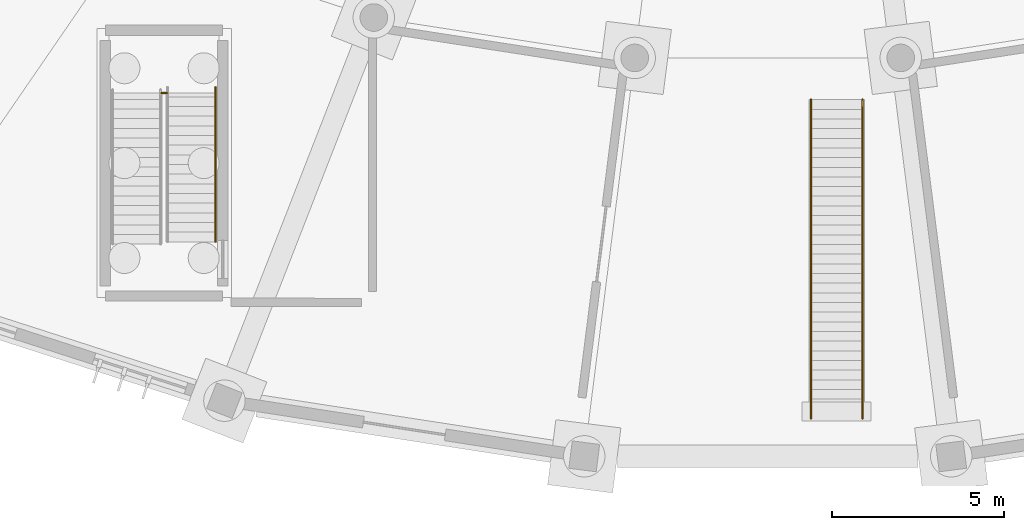
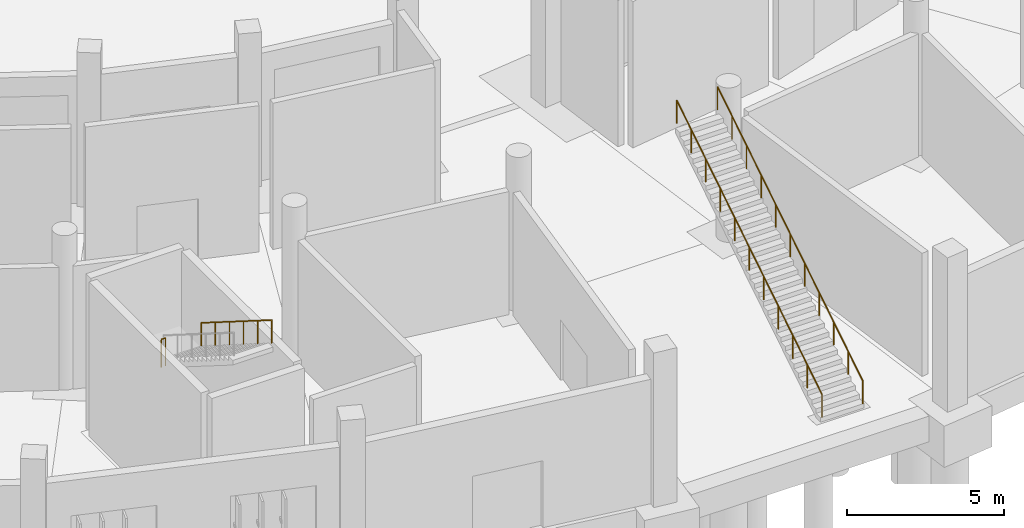
# One storey, part 113 of 140: 4 railings.
"""IFC4 building model written with IfcOpenShell, lengths in metres."""

from ifc_helpers import new_model, si_unit, direction, frame, origin, origin_2d, place, context, subcontext, project, spatial, circle, extrude, material, layer, layer_set, type_object, element, save


model = new_model("IFC4")

# Units and contexts
model_context = context("Model", 3, precision=1e-05, world=origin(), true_north=direction((0.0, 1.0)))
body_context = subcontext(model_context, "Body", "Model", "MODEL_VIEW")
ifc_project = project(units=[si_unit("LENGTHUNIT", "METRE"), si_unit("AREAUNIT", "SQUARE_METRE"), si_unit("VOLUMEUNIT", "CUBIC_METRE"), si_unit("PLANEANGLEUNIT", "RADIAN"), si_unit("MASSUNIT", "GRAM", prefix="KILO")], contexts=[model_context])

# Site, building, storey
site_placement = place(None, origin())
site = spatial("IfcSite", under=ifc_project, at=site_placement, CompositionType="ELEMENT")
building_placement = place(site_placement, origin())
building = spatial("IfcBuilding", under=site, at=building_placement, Name="Corvandel Quay Wholesale Market", CompositionType="ELEMENT")
storey_placement = place(building_placement, origin())
storey = spatial("IfcBuildingStorey", under=building, at=storey_placement, Name="L00", CompositionType="ELEMENT", Elevation=0.0)

# Railings
ifc_material_1 = material(Name="Painted galvanised tubular steel", Category="steel")
ifc_layer_1 = layer(ifc_material_1, 0.054931640625)
ifc_layer_set_1 = layer_set([ifc_layer_1], Name="Painted galvanised tubular steel")
railing_type_1 = type_object("IfcRailingType", Name="Stairwell Inner Guard Railing GR02 1100mm", PredefinedType="GUARDRAIL", material=ifc_layer_set_1)
railing_1_placement = place(storey_placement, frame((96.419921875, 10.530029296875, 3.0)))
element("IfcRailing", 1, at=railing_1_placement, inside=storey, type_object=railing_type_1, Name="Stair Landing Well Guard 0028", PredefinedType="GUARDRAIL", context=body_context, shape_type="SweptSolid", body=[
    extrude(circle(Radius=0.02392578125, at=origin_2d()), frame((0.0, 0.0, 1.076171875), z_axis=(1.0, 0.0, 0.0), x_axis=(0.0, 1.0, 0.0)), (0.0, 0.0, 1.0), 0.16015625),
    extrude(circle(Radius=0.02099609375, at=origin_2d()), origin(), (0.0, 0.0, 1.0), 1.052001953125),
    extrude(circle(Radius=0.02099609375, at=origin_2d()), frame((0.16015625, 0.0, 0.0)), (0.0, 0.0, 1.0), 1.052001953125),
])
ifc_material_2 = material(Name="Brushed austenitic stainless steel Grade 316", Category="steel")
ifc_layer_2 = layer(ifc_material_2, 0.048095703125)
ifc_layer_set_2 = layer_set([ifc_layer_2], Name="Brushed austenitic stainless steel Grade 316")
railing_type_2 = type_object("IfcRailingType", Name="Tubular Stainless Stair Handrail HR01 915mm", PredefinedType="HANDRAIL", material=ifc_layer_set_2)
railing_2_placement = place(storey_placement, frame((97.989990234375, 10.699951171875, 3.176513671875)))
element("IfcRailing", 2, at=railing_2_placement, inside=storey, type_object=railing_type_2, Name="Stair Handrail 0027", PredefinedType="HANDRAIL", context=body_context, shape_type="SweptSolid", body=[
    extrude(circle(Radius=0.02392578125, at=origin_2d()), frame((0.0, 0.0, 0.89111328125), z_axis=(0.0, -0.845997938375, 0.533186166611), x_axis=(1.0, 0.0, 0.0)), (0.0, 0.0, 1.0), 5.29541015625),
    extrude(circle(Radius=0.02099609375, at=origin_2d()), origin(), (0.0, 0.0, 1.0), 0.866943359375),
    extrude(circle(Radius=0.02099609375, at=origin_2d()), frame((0.0, -0.89599609375, 0.564697265625)), (0.0, 0.0, 1.0), 0.866943359375),
    extrude(circle(Radius=0.02099609375, at=origin_2d()), frame((0.0, -1.7919921875, 1.12939453125)), (0.0, 0.0, 1.0), 0.866943359375),
    extrude(circle(Radius=0.02099609375, at=origin_2d()), frame((0.0, -2.68798828125, 1.694091796875)), (0.0, 0.0, 1.0), 0.866943359375),
    extrude(circle(Radius=0.02099609375, at=origin_2d()), frame((0.0, -3.583984375, 2.2587890625)), (0.0, 0.0, 1.0), 0.866943359375),
    extrude(circle(Radius=0.02099609375, at=origin_2d()), frame((0.0, -4.47998046875, 2.823486328125)), (0.0, 0.0, 1.0), 0.866943359375),
])
for number, where, name in (
    (3, (115.25, 1.10009765625, 0.176513671875), "Feature Stair Handrail 0226"),
    (4, (116.75, 1.10009765625, 0.176513671875), "Feature Stair Handrail 0227"),
):
    element("IfcRailing", number, at=place(storey_placement, frame(where)), inside=storey, type_object=railing_type_2, Name=name, PredefinedType="HANDRAIL", context=body_context, shape_type="SweptSolid", body=[
        extrude(circle(Radius=0.02392578125, at=origin_2d()), frame((0.0, 0.0, 0.89111328125), z_axis=(0.0, 0.845996842167, 0.533187905943), x_axis=(-1.0, 0.0, 0.0)), (0.0, 0.0, 1.0), 10.922119140625),
        extrude(circle(Radius=0.02099609375, at=origin_2d()), origin(), (0.0, 0.0, 1.0), 0.866943359375),
        extrude(circle(Radius=0.02099609375, at=origin_2d()), frame((0.0, 0.924072265625, 0.582275390625)), (0.0, 0.0, 1.0), 0.866943359375),
        extrude(circle(Radius=0.02099609375, at=origin_2d()), frame((0.0, 1.847900390625, 1.164794921875)), (0.0, 0.0, 1.0), 0.866943359375),
        extrude(circle(Radius=0.02099609375, at=origin_2d()), frame((0.0, 2.77197265625, 1.7470703125)), (0.0, 0.0, 1.0), 0.866943359375),
        extrude(circle(Radius=0.02099609375, at=origin_2d()), frame((0.0, 3.696044921875, 2.329345703125)), (0.0, 0.0, 1.0), 0.866943359375),
        extrude(circle(Radius=0.02099609375, at=origin_2d()), frame((0.0, 4.6201171875, 2.91162109375)), (0.0, 0.0, 1.0), 0.866943359375),
        extrude(circle(Radius=0.02099609375, at=origin_2d()), frame((0.0, 5.5439453125, 3.494140625)), (0.0, 0.0, 1.0), 0.866943359375),
        extrude(circle(Radius=0.02099609375, at=origin_2d()), frame((0.0, 6.468017578125, 4.076416015625)), (0.0, 0.0, 1.0), 0.866943359375),
        extrude(circle(Radius=0.02099609375, at=origin_2d()), frame((0.0, 7.39208984375, 4.65869140625)), (0.0, 0.0, 1.0), 0.866943359375),
        extrude(circle(Radius=0.02099609375, at=origin_2d()), frame((0.0, 8.31591796875, 5.2412109375)), (0.0, 0.0, 1.0), 0.866943359375),
        extrude(circle(Radius=0.02099609375, at=origin_2d()), frame((0.0, 9.239990234375, 5.823486328125)), (0.0, 0.0, 1.0), 0.866943359375),
    ])

save(model, "model.ifc")
